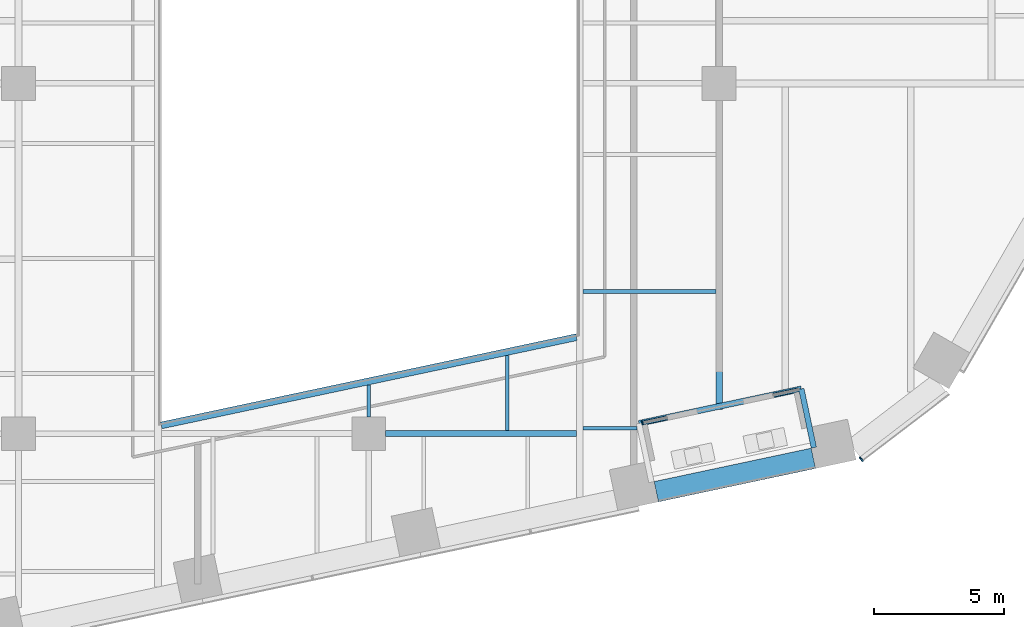
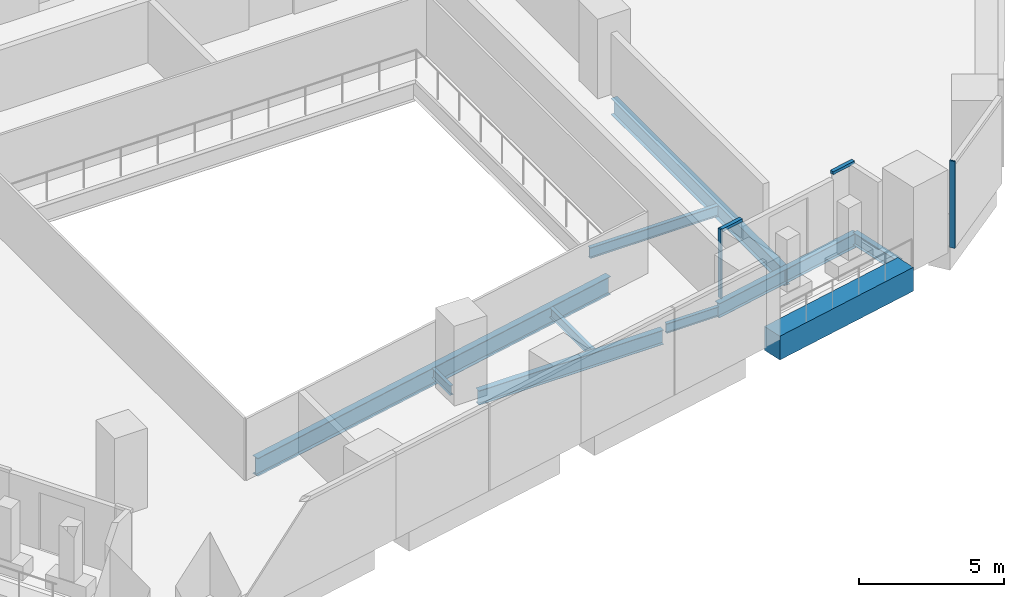
# One storey, part 6 of 31: 10 beams, 4 members, 2 elements without a shape of their own.
"""IFC4 building model written with IfcOpenShell, lengths in metres."""

from ifc_helpers import new_model, si_unit, direction, frame, origin, origin_2d, place, context, subcontext, project, spatial, rectangle, i_section, extrude, material, layer, layer_set, material_profile, profile_set, type_object, element, aggregate, save


model = new_model("IFC4")

# Units and contexts
model_context = context("Model", 3, precision=1e-05, world=origin(), true_north=direction((0.0, 1.0)))
body_context = subcontext(model_context, "Body", "Model", "MODEL_VIEW")
ifc_project = project(units=[si_unit("LENGTHUNIT", "METRE"), si_unit("AREAUNIT", "SQUARE_METRE"), si_unit("VOLUMEUNIT", "CUBIC_METRE"), si_unit("PLANEANGLEUNIT", "RADIAN"), si_unit("MASSUNIT", "GRAM", prefix="KILO")], contexts=[model_context])

# Site, building, storey
site_placement = place(None, origin())
site = spatial("IfcSite", under=ifc_project, at=site_placement, CompositionType="ELEMENT")
building_placement = place(site_placement, origin())
building = spatial("IfcBuilding", under=site, at=building_placement, Name="Isthmus Gate Tower", CompositionType="ELEMENT")
storey_placement = place(building_placement, frame((0.0, 0.0, 113.5)))
storey = spatial("IfcBuildingStorey", under=building, at=storey_placement, Name="L27", CompositionType="ELEMENT", Elevation=113.5)

# Curtain wall, member
ifc_material_1 = material(Name="Aluminium, pale champagne anodised", Category="aluminium")
ifc_layer_1 = layer(ifc_material_1, 0.199951171875)
ifc_layer_set_1 = layer_set([ifc_layer_1], Name="CW-1 UNITISED CURTAIN WALL 200 DEEP")
curtain_wall_type_1 = type_object("IfcCurtainWallType", Name="CW-1 UNITISED CURTAIN WALL 200 DEEP", PredefinedType="NOTDEFINED", material=ifc_layer_set_1)
curtain_wall_1_placement = place(storey_placement, origin())
curtain_wall_1 = element("IfcCurtainWall", 1, at=curtain_wall_1_placement, inside=storey, type_object=curtain_wall_type_1, Name="CW-1 S-SE L27", PredefinedType="NOTDEFINED")
ifc_material_2 = material(Name="Aluminium, pale champagne anodised", Category="aluminium")
ifc_material_profile_1 = material_profile(ifc_material_2, rectangle(XDim=0.06005859375, YDim=0.199951171875, at=origin_2d()), Name="60x200")
ifc_profile_set_1 = profile_set([ifc_material_profile_1], Name="Aluminium, pale champagne anodised")
member_type_1 = type_object("IfcMemberType", Name="CW-1 MULLION 60 X 200", PredefinedType="MULLION", material=ifc_profile_set_1)
member_1_placement = place(storey_placement, frame((18.978759765625, -27.982421875, 0.0), z_axis=(0.0, 0.0, 1.0), x_axis=(0.794188594387, 0.607671355706, 0.0)))
member_1 = element("IfcMember", 2, at=member_1_placement, type_object=member_type_1, Name="CW-1 mullion", PredefinedType="MULLION", context=body_context, shape_type="SweptSolid", body=[
    extrude(rectangle(XDim=0.06005859375, YDim=0.199951171875, at=origin_2d()), origin(), (0.0, 0.0, 1.0), 3.64990234375),
])
aggregate(curtain_wall_1, [member_1])

# Curtain wall, members
ifc_material_3 = material(Name="Aluminium, pale champagne anodised", Category="aluminium")
ifc_layer_2 = layer(ifc_material_3, 0.14990234375)
ifc_layer_set_2 = layer_set([ifc_layer_2], Name="CW-6 LOGGIA BACK WALL GLAZING 150 DEEP")
curtain_wall_type_2 = type_object("IfcCurtainWallType", Name="CW-6 LOGGIA BACK WALL GLAZING 150 DEEP", PredefinedType="NOTDEFINED", material=ifc_layer_set_2)
curtain_wall_2_placement = place(storey_placement, origin())
curtain_wall_2 = element("IfcCurtainWall", 3, at=curtain_wall_2_placement, inside=storey, type_object=curtain_wall_type_2, Name="CW-6 S L27", PredefinedType="NOTDEFINED")
ifc_material_4 = material(Name="Aluminium, pale champagne anodised", Category="aluminium")
ifc_material_profile_2 = material_profile(ifc_material_4, rectangle(XDim=0.06005859375, YDim=0.14990234375, at=origin_2d()), Name="60x150")
ifc_profile_set_2 = profile_set([ifc_material_profile_2], Name="Aluminium, pale champagne anodised")
member_type_2 = type_object("IfcMemberType", Name="CW-6 MULLION 60 X 150", PredefinedType="MULLION", material=ifc_profile_set_2)
member_2_placement = place(storey_placement, frame((10.546630859375, -26.5888671875, 0.0), z_axis=(0.0, 0.0, 1.0), x_axis=(0.978147600734, 0.207911690818, 0.0)))
member_2 = element("IfcMember", 4, at=member_2_placement, type_object=member_type_2, Name="CW-6 mullion", PredefinedType="MULLION", context=body_context, shape_type="SweptSolid", body=[
    extrude(rectangle(XDim=0.06005859375, YDim=0.14990234375, at=origin_2d()), origin(), (0.0, 0.0, 1.0), 2.89990234375),
])
ifc_material_5 = material(Name="Aluminium, pale champagne anodised", Category="aluminium")
ifc_material_profile_3 = material_profile(ifc_material_5, rectangle(XDim=0.14990234375, YDim=0.1201171875, at=origin_2d()), Name="150x120")
ifc_profile_set_3 = profile_set([ifc_material_profile_3], Name="Aluminium, pale champagne anodised")
member_type_3 = type_object("IfcMemberType", Name="CW-6 TRANSOM 150 X 120", PredefinedType="USERDEFINED", material=ifc_profile_set_3)
member_3_placement = place(storey_placement, frame((10.576171875, -26.582763671875, 2.840087890625), z_axis=(0.978137598602, 0.207958741583, 0.0), x_axis=(-0.207958741583, 0.978137598602, 0.0)))
member_3 = element("IfcMember", 5, at=member_3_placement, type_object=member_type_3, Name="CW-6 transom", ObjectType="TRANSOM", PredefinedType="USERDEFINED", context=body_context, shape_type="SweptSolid", body=[
    extrude(rectangle(XDim=0.14990234375, YDim=0.1201171875, at=origin_2d()), origin(), (0.0, 0.0, 1.0), 0.9345703125),
])
member_4_placement = place(storey_placement, frame((15.5986328125, -25.51513671875, 2.840087890625), z_axis=(0.978149492512, 0.207902790504, 0.0), x_axis=(-0.207902790504, 0.978149492512, 0.0)))
member_4 = element("IfcMember", 6, at=member_4_placement, type_object=member_type_3, Name="CW-6 transom", ObjectType="TRANSOM", PredefinedType="USERDEFINED", context=body_context, shape_type="SweptSolid", body=[
    extrude(rectangle(XDim=0.14990234375, YDim=0.1201171875, at=origin_2d()), origin(), (0.0, 0.0, 1.0), 0.99462890625),
])
aggregate(curtain_wall_2, [member_2, member_3, member_4])

# Beams
ifc_material_6 = material(Name="Concrete f'c 70 MPa", Category="concrete")
ifc_material_profile_4 = material_profile(ifc_material_6, rectangle(XDim=0.800048828125, YDim=1.0, at=origin_2d()), Name="RC 800X1000")
ifc_profile_set_4 = profile_set([ifc_material_profile_4], Name="Concrete f'c 70 MPa")
beam_type_1 = type_object("IfcBeamType", Name="RC SPANDREL 800 X 1000", PredefinedType="SPANDREL", material=ifc_profile_set_4)
beam_1_placement = place(storey_placement, frame((17.1328125, -27.949462890625, -0.5), z_axis=(-0.978147421176, -0.207912535568, 0.0), x_axis=(0.207912535568, -0.978147421176, 0.0)))
element("IfcBeam", 7, at=beam_1_placement, inside=storey, type_object=beam_type_1, Name="str-spandrel-L27-10", PredefinedType="SPANDREL", context=body_context, shape_type="SweptSolid", body=[
    extrude(rectangle(XDim=0.800048828125, YDim=1.0, at=origin_2d()), origin(), (0.0, 0.0, 1.0), 6.189453125),
])
ifc_material_7 = material(Name="Structural steel ASTM A992 Gr 50", Category="steel")
ifc_material_profile_5 = material_profile(ifc_material_7, i_section(OverallWidth=0.1396484375, OverallDepth=0.4033203125, WebThickness=0.00634765625, FlangeThickness=0.010986328125, at=origin_2d()), Name="W16X31")
ifc_profile_set_5 = profile_set([ifc_material_profile_5], Name="Structural steel ASTM A992 Gr 50")
beam_type_2 = type_object("IfcBeamType", Name="STEEL FLOOR BEAM W16X31", PredefinedType="JOIST", material=ifc_profile_set_5)
beam_2_placement = place(storey_placement, frame((0.0, -26.35009765625, -0.3515625), z_axis=(0.0, 1.0, 0.0), x_axis=(-1.0, 0.0, 0.0)))
element("IfcBeam", 8, at=beam_2_placement, inside=storey, type_object=beam_type_2, Name="str-beam-L27-21-00", PredefinedType="JOIST", context=body_context, shape_type="SweptSolid", body=[
    extrude(i_section(OverallWidth=0.1396484375, OverallDepth=0.4033203125, WebThickness=0.00634765625, FlangeThickness=0.010986328125, at=origin_2d()), origin(), (0.0, 0.0, 1.0), 1.23388671875),
])
beam_3_placement = place(storey_placement, frame((5.333251953125, -26.8857421875, -0.3515625), z_axis=(0.0, 1.0, 0.0), x_axis=(-1.0, 0.0, 0.0)))
element("IfcBeam", 9, at=beam_3_placement, inside=storey, type_object=beam_type_2, Name="str-beam-L27-21-01", PredefinedType="JOIST", context=body_context, shape_type="SweptSolid", body=[
    extrude(i_section(OverallWidth=0.1396484375, OverallDepth=0.4033203125, WebThickness=0.00634765625, FlangeThickness=0.010986328125, at=origin_2d()), origin(), (0.0, 0.0, 1.0), 2.903076171875),
])
beam_4_placement = place(storey_placement, frame((8.263427734375, -26.788818359375, -0.3515625), z_axis=(1.0, 0.0, 0.0), x_axis=(0.0, 1.0, 0.0)))
element("IfcBeam", 10, at=beam_4_placement, inside=storey, type_object=beam_type_2, Name="str-beam-L27-26-00", PredefinedType="JOIST", context=body_context, shape_type="SweptSolid", body=[
    extrude(i_section(OverallWidth=0.1396484375, OverallDepth=0.4033203125, WebThickness=0.00634765625, FlangeThickness=0.010986328125, at=origin_2d()), origin(), (0.0, 0.0, 1.0), 2.080810546875),
])
ifc_material_8 = material(Name="Structural steel ASTM A992 Gr 50", Category="steel")
ifc_material_profile_6 = material_profile(ifc_material_8, i_section(OverallWidth=0.15234375, OverallDepth=0.45068359375, WebThickness=0.0078125, FlangeThickness=0.010986328125, at=origin_2d()), Name="W18X35")
ifc_profile_set_6 = profile_set([ifc_material_profile_6], Name="Structural steel ASTM A992 Gr 50")
beam_type_3 = type_object("IfcBeamType", Name="STEEL FLOOR BEAM W18X35", PredefinedType="JOIST", material=ifc_profile_set_6)
beam_5_placement = place(storey_placement, frame((8.263427734375, -21.51513671875, -0.37548828125), z_axis=(1.0, 0.0, 0.0), x_axis=(0.0, 1.0, 0.0)))
element("IfcBeam", 11, at=beam_5_placement, inside=storey, type_object=beam_type_3, Name="str-beam-L27-26-01", PredefinedType="JOIST", context=body_context, shape_type="SweptSolid", body=[
    extrude(i_section(OverallWidth=0.15234375, OverallDepth=0.45068359375, WebThickness=0.0078125, FlangeThickness=0.010986328125, at=origin_2d()), origin(), (0.0, 0.0, 1.0), 5.109619140625),
])
ifc_material_9 = material(Name="Structural steel ASTM A992 Gr 50", Category="steel")
ifc_material_profile_7 = material_profile(ifc_material_9, i_section(OverallWidth=0.228515625, OverallDepth=0.603271484375, WebThickness=0.010986328125, FlangeThickness=0.014404296875, at=origin_2d()), Name="W24X68")
ifc_profile_set_7 = profile_set([ifc_material_profile_7], Name="Structural steel ASTM A992 Gr 50")
beam_type_4 = type_object("IfcBeamType", Name="STEEL GIRDER W24X68", PredefinedType="BEAM", material=ifc_profile_set_7)
beam_6_placement = place(storey_placement, frame((0.64990234375, -27.0, -0.45166015625), z_axis=(1.0, 0.0, 0.0), x_axis=(0.0, 1.0, 0.0)))
element("IfcBeam", 12, at=beam_6_placement, inside=storey, type_object=beam_type_4, Name="str-girder-L27-04", PredefinedType="BEAM", context=body_context, shape_type="SweptSolid", body=[
    extrude(i_section(OverallWidth=0.228515625, OverallDepth=0.603271484375, WebThickness=0.010986328125, FlangeThickness=0.014404296875, at=origin_2d()), origin(), (0.0, 0.0, 1.0), 7.35009765625),
])
ifc_material_10 = material(Name="Structural steel ASTM A992 Gr 50", Category="steel")
ifc_material_profile_8 = material_profile(ifc_material_10, i_section(OverallWidth=0.25390625, OverallDepth=0.679443359375, WebThickness=0.010986328125, FlangeThickness=0.015869140625, at=origin_2d()), Name="W27X84")
ifc_profile_set_8 = profile_set([ifc_material_profile_8], Name="Structural steel ASTM A992 Gr 50")
beam_type_5 = type_object("IfcBeamType", Name="STEEL GIRDER W27X84", PredefinedType="BEAM", material=ifc_profile_set_8)
beam_7_placement = place(storey_placement, frame((13.5, -26.0634765625, -0.48974609375), z_axis=(0.0, 1.0, 0.0), x_axis=(-1.0, 0.0, 0.0)))
element("IfcBeam", 13, at=beam_7_placement, inside=storey, type_object=beam_type_5, Name="str-girder-L27-32", PredefinedType="BEAM", context=body_context, shape_type="SweptSolid", body=[
    extrude(i_section(OverallWidth=0.25390625, OverallDepth=0.679443359375, WebThickness=0.010986328125, FlangeThickness=0.015869140625, at=origin_2d()), origin(), (0.0, 0.0, 1.0), 11.91357421875),
])
ifc_material_11 = material(Name="Structural steel ASTM A992 Gr 50", Category="steel")
ifc_material_profile_9 = material_profile(ifc_material_11, i_section(OverallWidth=0.20947265625, OverallDepth=0.533447265625, WebThickness=0.009521484375, FlangeThickness=0.015869140625, at=origin_2d()), Name="W21X62")
ifc_profile_set_9 = profile_set([ifc_material_profile_9], Name="Structural steel ASTM A992 Gr 50")
beam_type_6 = type_object("IfcBeamType", Name="STEEL TRIMMER W21X62", PredefinedType="BEAM", material=ifc_profile_set_9)
beam_8_placement = place(storey_placement, frame((17.152099609375, -27.536376953125, -0.416748046875), z_axis=(-0.207929410801, 0.978143834067, 0.0), x_axis=(-0.978143834067, -0.207929410801, 0.0)))
element("IfcBeam", 14, at=beam_8_placement, inside=storey, type_object=beam_type_6, Name="str-loggiatrim-L27-04-C", PredefinedType="BEAM", context=body_context, shape_type="SweptSolid", body=[
    extrude(i_section(OverallWidth=0.20947265625, OverallDepth=0.533447265625, WebThickness=0.009521484375, FlangeThickness=0.015869140625, at=origin_2d()), origin(), (0.0, 0.0, 1.0), 2.314208984375),
])
ifc_material_12 = material(Name="Structural steel ASTM A992 Gr 50", Category="steel")
ifc_material_profile_10 = material_profile(ifc_material_12, i_section(OverallWidth=0.228515625, OverallDepth=0.603271484375, WebThickness=0.010986328125, FlangeThickness=0.014404296875, at=origin_2d()), Name="W24X68")
ifc_profile_set_10 = profile_set([ifc_material_profile_10], Name="Structural steel ASTM A992 Gr 50")
beam_type_7 = type_object("IfcBeamType", Name="STEEL TRIMMER W24X68", PredefinedType="BEAM", material=ifc_profile_set_10)
beam_9_placement = place(storey_placement, frame((10.411865234375, -26.60302734375, -0.45166015625), z_axis=(0.978150025998, 0.207900280519, 0.0), x_axis=(-0.207900280519, 0.978150025998, 0.0)))
element("IfcBeam", 15, at=beam_9_placement, inside=storey, type_object=beam_type_7, Name="str-loggiatrim-L27-04-B", PredefinedType="BEAM", context=body_context, shape_type="SweptSolid", body=[
    extrude(i_section(OverallWidth=0.228515625, OverallDepth=0.603271484375, WebThickness=0.010986328125, FlangeThickness=0.014404296875, at=origin_2d()), origin(), (0.0, 0.0, 1.0), 6.39892578125),
])
ifc_material_13 = material(Name="Structural steel ASTM A992 Gr 50", Category="steel")
ifc_material_profile_11 = material_profile(ifc_material_13, i_section(OverallWidth=0.2666015625, OverallDepth=0.7587890625, WebThickness=0.014404296875, FlangeThickness=0.01904296875, at=origin_2d()), Name="W30X108")
ifc_profile_set_11 = profile_set([ifc_material_profile_11], Name="Structural steel ASTM A992 Gr 50")
beam_type_8 = type_object("IfcBeamType", Name="STEEL TRIMMER W30X108", PredefinedType="BEAM", material=ifc_profile_set_11)
beam_10_placement = place(storey_placement, frame((-8.0, -26.680419921875, -0.529296875), z_axis=(0.978147924985, 0.20791016533, 0.0), x_axis=(-0.20791016533, 0.978147924985, 0.0)))
element("IfcBeam", 16, at=beam_10_placement, inside=storey, type_object=beam_type_8, Name="str-trimmer-L27-03", PredefinedType="BEAM", context=body_context, shape_type="SweptSolid", body=[
    extrude(i_section(OverallWidth=0.2666015625, OverallDepth=0.7587890625, WebThickness=0.014404296875, FlangeThickness=0.01904296875, at=origin_2d()), origin(), (0.0, 0.0, 1.0), 16.357421875),
])

save(model, "model.ifc")
